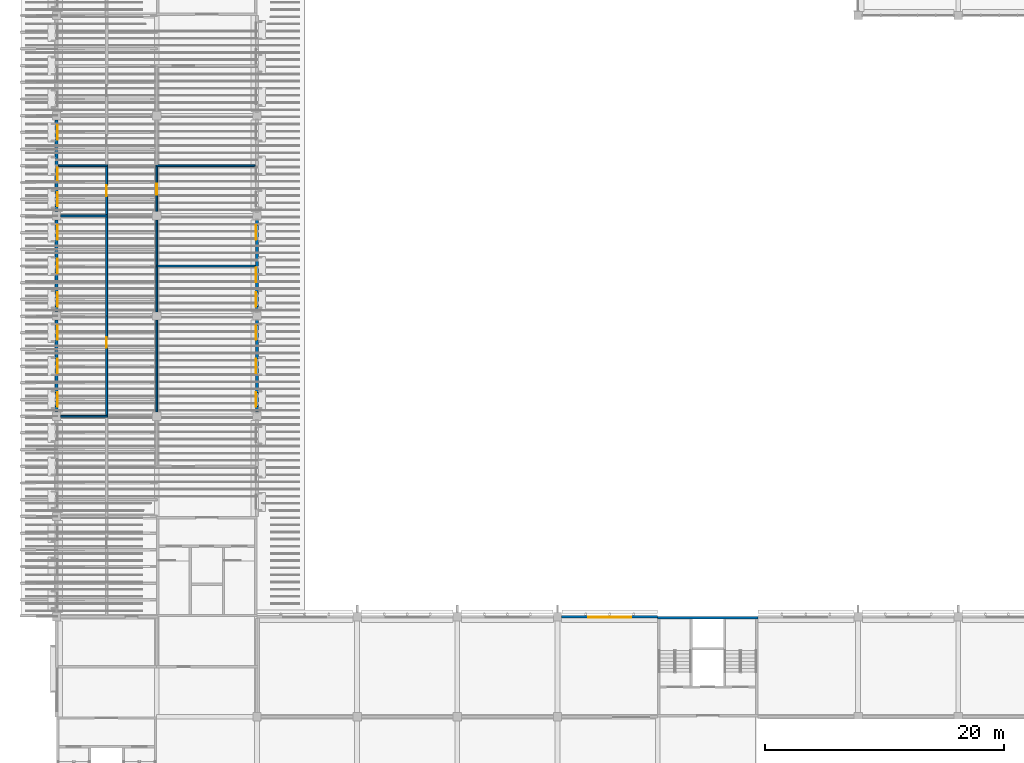
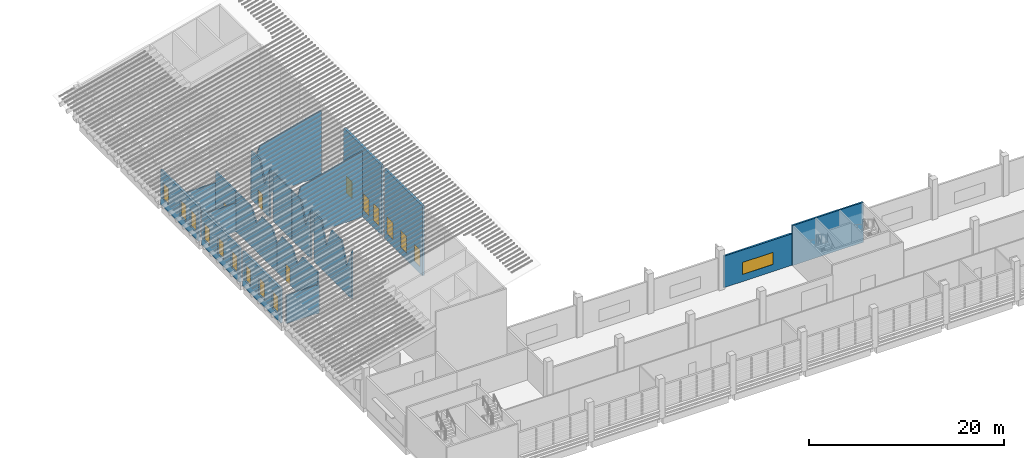
# One storey, part 19 of 82: 19 walls, 16 windows, 3 doors, 19 openings.
"""IFC4 building model written with IfcOpenShell, lengths in metres."""

from ifc_helpers import new_model, si_unit, direction, frame, frame_2d, origin, place, context, subcontext, project, spatial, polyline, rectangle, outline, extrude, material, layer, layer_set, type_object, element, fill, save


model = new_model("IFC4")

# Units and contexts
model_context = context("Model", 3, precision=1e-05, world=origin(), true_north=direction((0.0, 1.0)))
body_context = subcontext(model_context, "Body", "Model", "MODEL_VIEW")
ifc_project = project(units=[si_unit("LENGTHUNIT", "METRE"), si_unit("AREAUNIT", "SQUARE_METRE"), si_unit("VOLUMEUNIT", "CUBIC_METRE"), si_unit("PLANEANGLEUNIT", "RADIAN"), si_unit("MASSUNIT", "GRAM", prefix="KILO")], contexts=[model_context])

# Site, building, storey
site_placement = place(None, origin())
site = spatial("IfcSite", under=ifc_project, at=site_placement, CompositionType="ELEMENT")
building_placement = place(site_placement, origin())
building = spatial("IfcBuilding", under=site, at=building_placement, Name="Almond Square Museum", CompositionType="ELEMENT")
storey_placement = place(building_placement, frame((0.0, 0.0, 20.0)))
storey = spatial("IfcBuildingStorey", under=building, at=storey_placement, Name="L03", CompositionType="ELEMENT", Elevation=20.0)

# Walls
ifc_material_1 = material(Name="Plasterboard on steel stud", Category="steel")
ifc_layer_1 = layer(ifc_material_1, 0.14990234375)
ifc_layer_set_1 = layer_set([ifc_layer_1], Name="Plasterboard on steel stud")
wall_type_1 = type_object("IfcWallType", Name="Partition 150 plasterboard on steel stud", PredefinedType="PARTITIONING", material=ifc_layer_set_1)
wall_1_placement = place(storey_placement, frame((6.14990234375, 54.60009765625, 0.0), z_axis=(0.0, 0.0, 1.0), x_axis=(1.0, 0.0, 0.0)))
element("IfcWall", 1, at=wall_1_placement, inside=storey, type_object=wall_type_1, Name="L03 partition 24", PredefinedType="PARTITIONING", context=body_context, shape_type="SweptSolid", body=[
    extrude(rectangle(XDim=4.125, YDim=0.14990234375, at=frame_2d((2.0625, 0.0))), origin(), (0.0, 0.0, 1.0), 3.56201171875),
])
wall_2_placement = place(storey_placement, frame((14.324951171875, 54.60009765625, 0.0), z_axis=(0.0, 0.0, 1.0), x_axis=(1.0, 0.0, 0.0)))
element("IfcWall", 2, at=wall_2_placement, inside=storey, type_object=wall_type_1, Name="L03 partition 26", PredefinedType="PARTITIONING", context=body_context, shape_type="SweptSolid", body=[
    extrude(outline(polyline([(0.0, 0.0), (8.324951171875, 0.0), (8.324951171875, 8.220947265625), (7.35009765625, 8.0048828125), (1.050048828125, 6.35498046875), (0.0, 3.56201171875), (0.0, 0.0)])), frame((0.0, 0.074951171875, 0.0), z_axis=(0.0, -1.0, 0.0), x_axis=(1.0, 0.0, 0.0)), (0.0, 0.0, 1.0), 0.14990234375),
])

# Wall, opening, door
wall_3_placement = place(storey_placement, frame((10.199951171875, 50.47509765625, 0.0), z_axis=(0.0, 0.0, 1.0), x_axis=(0.0, 1.0, 0.0)))
wall_3 = element("IfcWall", 3, at=wall_3_placement, inside=storey, type_object=wall_type_1, Name="L03 partition 30", PredefinedType="PARTITIONING", context=body_context, shape_type="SweptSolid", body=[
    extrude(rectangle(XDim=4.0498046875, YDim=0.14990234375, at=frame_2d((2.02490234375, 0.0))), origin(), (0.0, 0.0, 1.0), 5.0),
])
opening_1_placement = place(wall_3_placement, frame((1.574951171875, 0.0, 0.0)))
opening_1 = element("IfcOpeningElement", 4, at=opening_1_placement, cuts=wall_3, Name="Opening D3109", PredefinedType="OPENING", context=body_context, shape_type="SweptSolid", body=[
    extrude(rectangle(XDim=0.89990234375, YDim=2.10009765625, at=frame_2d((0.449951171875, 1.050048828125))), frame((0.0, 0.0849609375, 0.0), z_axis=(0.0, -1.0, 0.0), x_axis=(1.0, 0.0, 0.0)), (0.0, 0.0, 1.0), 0.169921875),
])
ifc_material_2 = material(Name="Timber", Category="wood")
door_type = type_object("IfcDoorType", Name="Door 900 x 2100 timber single", OperationType="NOTDEFINED", PredefinedType="DOOR", material=ifc_material_2)
door_1_placement = place(opening_1_placement, origin())
door_1 = element("IfcDoor", 5, at=door_1_placement, inside=storey, type_object=door_type, Name="L03 door Women's WC 2 to Wing Corridor", OperationType="SINGLE_SWING_LEFT", OverallHeight=2.10009765625, OverallWidth=0.89990234375, PredefinedType="DOOR", context=body_context, shape_type="SweptSolid", body=[
    extrude(rectangle(XDim=0.89990234375, YDim=2.10009765625, at=frame_2d((0.449951171875, 1.050048828125))), frame((0.0, 0.02490234375, 0.0), z_axis=(0.0, -1.0, 0.0), x_axis=(1.0, 0.0, 0.0)), (0.0, 0.0, 1.0), 0.050048828125),
])
fill(opening_1, door_1)

# Walls
wall_4_placement = place(storey_placement, frame((6.35009765625, 50.39990234375, 0.0), z_axis=(0.0, 0.0, 1.0), x_axis=(1.0, 0.0, 0.0)))
element("IfcWall", 6, at=wall_4_placement, inside=storey, type_object=wall_type_1, Name="L03 partition 31", PredefinedType="PARTITIONING", context=body_context, shape_type="SweptSolid", body=[
    extrude(rectangle(XDim=3.9248046875, YDim=0.14990234375, at=frame_2d((1.96240234375, 0.0))), origin(), (0.0, 0.0, 1.0), 3.56201171875),
])
wall_5_placement = place(storey_placement, frame((14.39990234375, 46.27490234375, 0.0), z_axis=(0.0, 0.0, 1.0), x_axis=(0.0, 1.0, 0.0)))
element("IfcWall", 7, at=wall_5_placement, inside=storey, type_object=wall_type_1, Name="L03 partition 32", PredefinedType="PARTITIONING", context=body_context, shape_type="SweptSolid", body=[
    extrude(rectangle(XDim=3.775146484375, YDim=0.14990234375, at=frame_2d((1.8876953125, 0.0))), origin(), (0.0, 0.0, 1.0), 6.10009765625),
])

# Wall, opening, door
wall_6_placement = place(storey_placement, frame((14.39990234375, 50.75, 0.0), z_axis=(0.0, 0.0, 1.0), x_axis=(0.0, 1.0, 0.0)))
wall_6 = element("IfcWall", 8, at=wall_6_placement, inside=storey, type_object=wall_type_1, Name="L03 partition 33", PredefinedType="PARTITIONING", context=body_context, shape_type="SweptSolid", body=[
    extrude(outline(polyline([(0.0, 0.0), (3.77490234375, 0.0), (3.77490234375, 6.10009765625), (2.10009765625, 6.10009765625), (1.050048828125, 3.56201171875), (0.0, 6.10009765625), (0.0, 0.0)])), frame((0.0, 0.074951171875, 0.0), z_axis=(0.0, -1.0, 0.0), x_axis=(1.0, 0.0, 0.0)), (0.0, 0.0, 1.0), 0.14990234375),
])
opening_2_placement = place(wall_6_placement, frame((1.4375, 0.0, 0.0)))
opening_2 = element("IfcOpeningElement", 9, at=opening_2_placement, cuts=wall_6, Name="Opening D3110", PredefinedType="OPENING", context=body_context, shape_type="SweptSolid", body=[
    extrude(rectangle(XDim=0.89990234375, YDim=2.10009765625, at=frame_2d((0.449951171875, 1.050048828125))), frame((0.0, 0.0849609375, 0.0), z_axis=(0.0, -1.0, 0.0), x_axis=(1.0, 0.0, 0.0)), (0.0, 0.0, 1.0), 0.169921875),
])
door_2_placement = place(opening_2_placement, origin())
door_2 = element("IfcDoor", 10, at=door_2_placement, inside=storey, type_object=door_type, Name="L03 door Staff Meeting Room to Wing Corridor", OperationType="SINGLE_SWING_RIGHT", OverallHeight=2.10009765625, OverallWidth=0.89990234375, PredefinedType="DOOR", context=body_context, shape_type="SweptSolid", body=[
    extrude(rectangle(XDim=0.89990234375, YDim=2.10009765625, at=frame_2d((0.449951171875, 1.050048828125))), frame((0.0, 0.02490234375, 0.0), z_axis=(0.0, -1.0, 0.0), x_axis=(1.0, 0.0, 0.0)), (0.0, 0.0, 1.0), 0.050048828125),
])
fill(opening_2, door_2)

# Wall
wall_7_placement = place(storey_placement, frame((14.324951171875, 46.199951171875, 0.0), z_axis=(0.0, 0.0, 1.0), x_axis=(1.0, 0.0, 0.0)))
element("IfcWall", 11, at=wall_7_placement, inside=storey, type_object=wall_type_1, Name="L03 partition 34", PredefinedType="PARTITIONING", context=body_context, shape_type="SweptSolid", body=[
    extrude(outline(polyline([(0.0, 0.0), (8.324951171875, 0.0), (8.324951171875, 8.220947265625), (7.35009765625, 8.0048828125), (1.050048828125, 6.35498046875), (0.0, 3.56201171875), (0.0, 0.0)])), frame((0.0, 0.074951171875, 0.0), z_axis=(0.0, -1.0, 0.0), x_axis=(1.0, 0.0, 0.0)), (0.0, 0.0, 1.0), 0.14990234375),
])

# Wall, opening, door
wall_8_placement = place(storey_placement, frame((10.199951171875, 33.675048828125, 0.0), z_axis=(0.0, 0.0, 1.0), x_axis=(0.0, 1.0, 0.0)))
wall_8 = element("IfcWall", 12, at=wall_8_placement, inside=storey, type_object=wall_type_1, Name="L03 partition 35", PredefinedType="PARTITIONING", context=body_context, shape_type="SweptSolid", body=[
    extrude(outline(polyline([(0.0, 0.0), (8.324951171875, 0.0), (8.324951171875, 3.56201171875), (7.35009765625, 5.0), (5.25, 5.0), (4.199951171875, 3.56201171875), (3.14990234375, 5.0), (0.0, 5.0), (0.0, 0.0)])), frame((0.0, 0.074951171875, 0.0), z_axis=(0.0, -1.0, 0.0), x_axis=(1.0, 0.0, 0.0)), (0.0, 0.0, 1.0), 0.14990234375),
])
opening_3_placement = place(wall_8_placement, frame((5.64990234375, 0.0, 0.0)))
opening_3 = element("IfcOpeningElement", 13, at=opening_3_placement, cuts=wall_8, Name="Opening D3111", PredefinedType="OPENING", context=body_context, shape_type="SweptSolid", body=[
    extrude(rectangle(XDim=0.89990234375, YDim=2.10009765625, at=frame_2d((0.449951171875, 1.050048828125))), frame((0.0, 0.0849609375, 0.0), z_axis=(0.0, -1.0, 0.0), x_axis=(1.0, 0.0, 0.0)), (0.0, 0.0, 1.0), 0.169921875),
])
door_3_placement = place(opening_3_placement, origin())
door_3 = element("IfcDoor", 14, at=door_3_placement, inside=storey, type_object=door_type, Name="L03 door Registrar Office 1 to Wing Corridor", OperationType="SINGLE_SWING_LEFT", OverallHeight=2.10009765625, OverallWidth=0.89990234375, PredefinedType="DOOR", context=body_context, shape_type="SweptSolid", body=[
    extrude(rectangle(XDim=0.89990234375, YDim=2.10009765625, at=frame_2d((0.449951171875, 1.050048828125))), frame((0.0, 0.02490234375, 0.0), z_axis=(0.0, -1.0, 0.0), x_axis=(1.0, 0.0, 0.0)), (0.0, 0.0, 1.0), 0.050048828125),
])
fill(opening_3, door_3)

# Walls
wall_9_placement = place(storey_placement, frame((10.199951171875, 42.0, 0.0), z_axis=(0.0, 0.0, 1.0), x_axis=(0.0, 1.0, 0.0)))
element("IfcWall", 15, at=wall_9_placement, inside=storey, type_object=wall_type_1, Name="L03 partition 36", PredefinedType="PARTITIONING", context=body_context, shape_type="SweptSolid", body=[
    extrude(outline(polyline([(0.0, 0.0), (8.324951171875, 0.0), (8.324951171875, 5.0), (5.25, 5.0), (4.199951171875, 3.56201171875), (3.14990234375, 5.0), (1.050048828125, 5.0), (0.0, 3.56201171875), (0.0, 0.0)])), frame((0.0, 0.074951171875, 0.0), z_axis=(0.0, -1.0, 0.0), x_axis=(1.0, 0.0, 0.0)), (0.0, 0.0, 1.0), 0.14990234375),
])
wall_10_placement = place(storey_placement, frame((14.39990234375, 33.949951171875, 0.0), z_axis=(0.0, 0.0, 1.0), x_axis=(0.0, 1.0, 0.0)))
element("IfcWall", 16, at=wall_10_placement, inside=storey, type_object=wall_type_1, Name="L03 partition 38", PredefinedType="PARTITIONING", context=body_context, shape_type="SweptSolid", body=[
    extrude(outline(polyline([(0.0, 0.0), (7.699951171875, 0.0), (7.699951171875, 6.10009765625), (6.300048828125, 6.10009765625), (5.25, 3.56201171875), (4.199951171875, 6.10009765625), (2.10009765625, 6.10009765625), (1.050048828125, 3.56201171875), (0.0, 6.10009765625), (0.0, 0.0)])), frame((0.0, 0.074951171875, 0.0), z_axis=(0.0, -1.0, 0.0), x_axis=(1.0, 0.0, 0.0)), (0.0, 0.0, 1.0), 0.14990234375),
])
wall_11_placement = place(storey_placement, frame((14.39990234375, 42.35009765625, 0.0), z_axis=(0.0, 0.0, 1.0), x_axis=(0.0, 1.0, 0.0)))
element("IfcWall", 17, at=wall_11_placement, inside=storey, type_object=wall_type_1, Name="L03 partition 39", PredefinedType="PARTITIONING", context=body_context, shape_type="SweptSolid", body=[
    extrude(outline(polyline([(0.0, 0.0), (3.77490234375, 0.0), (3.77490234375, 6.10009765625), (2.10009765625, 6.10009765625), (1.050048828125, 3.56201171875), (0.0, 6.10009765625), (0.0, 0.0)])), frame((0.0, 0.074951171875, 0.0), z_axis=(0.0, -1.0, 0.0), x_axis=(1.0, 0.0, 0.0)), (0.0, 0.0, 1.0), 0.14990234375),
])
wall_12_placement = place(storey_placement, frame((6.35009765625, 33.60009765625, 0.0), z_axis=(0.0, 0.0, 1.0), x_axis=(1.0, 0.0, 0.0)))
element("IfcWall", 18, at=wall_12_placement, inside=storey, type_object=wall_type_1, Name="L03 partition 43", PredefinedType="PARTITIONING", context=body_context, shape_type="SweptSolid", body=[
    extrude(rectangle(XDim=3.9248046875, YDim=0.14990234375, at=frame_2d((1.96240234375, 0.0))), origin(), (0.0, 0.0, 1.0), 3.56201171875),
])

# Wall, openings, windows
ifc_material_3 = material(Name="Precast concrete C40/50", Category="concrete")
ifc_layer_2 = layer(ifc_material_3, 0.25)
ifc_layer_set_2 = layer_set([ifc_layer_2], Name="Precast concrete C40/50")
wall_type_2 = type_object("IfcWallType", Name="Precast concrete panel wall 250 with coral limestone piers", PredefinedType="SOLIDWALL", material=ifc_layer_set_2)
wall_13_placement = place(storey_placement, frame((22.800048828125, 33.949951171875, 0.0), z_axis=(0.0, 0.0, 1.0), x_axis=(0.0, 1.0, 0.0)))
wall_13 = element("IfcWall", 19, at=wall_13_placement, inside=storey, type_object=wall_type_2, Name="External wall W2 V4W L03 E02", PredefinedType="SOLIDWALL", context=body_context, shape_type="SweptSolid", body=[
    extrude(rectangle(XDim=7.699951171875, YDim=0.25, at=frame_2d((3.85009765625, 0.0))), origin(), (0.0, 0.0, 1.0), 8.74560546875),
])
opening_4_placement = place(wall_13_placement, frame((0.449951171875, 0.0, 0.89990234375)))
opening_4 = element("IfcOpeningElement", 20, at=opening_4_placement, cuts=wall_13, Name="Opening W3020", PredefinedType="OPENING", context=body_context, shape_type="SweptSolid", body=[
    extrude(rectangle(XDim=1.199951171875, YDim=2.10009765625, at=frame_2d((0.60009765625, 1.050048828125))), frame((0.0, 0.135009765625, 0.0), z_axis=(0.0, -1.0, 0.0), x_axis=(1.0, 0.0, 0.0)), (0.0, 0.0, 1.0), 0.27001953125),
])
opening_5_placement = place(wall_13_placement, frame((3.25, 0.0, 0.89990234375)))
opening_5 = element("IfcOpeningElement", 21, at=opening_5_placement, cuts=wall_13, Name="Opening W3021", PredefinedType="OPENING", context=body_context, shape_type="SweptSolid", body=[
    extrude(rectangle(XDim=1.199951171875, YDim=2.10009765625, at=frame_2d((0.60009765625, 1.050048828125))), frame((0.0, 0.135009765625, 0.0), z_axis=(0.0, -1.0, 0.0), x_axis=(1.0, 0.0, 0.0)), (0.0, 0.0, 1.0), 0.27001953125),
])
opening_6_placement = place(wall_13_placement, frame((6.050048828125, 0.0, 0.89990234375)))
opening_6 = element("IfcOpeningElement", 22, at=opening_6_placement, cuts=wall_13, Name="Opening W3022", PredefinedType="OPENING", context=body_context, shape_type="SweptSolid", body=[
    extrude(rectangle(XDim=1.199951171875, YDim=2.10009765625, at=frame_2d((0.60009765625, 1.050048828125))), frame((0.0, 0.135009765625, 0.0), z_axis=(0.0, -1.0, 0.0), x_axis=(1.0, 0.0, 0.0)), (0.0, 0.0, 1.0), 0.27001953125),
])
ifc_material_4 = material(Name="Anodised aluminium louvre and laminated glass", Category="aluminium")
window_type_1 = type_object("IfcWindowType", Name="Louvred pier window", PartitioningType="SINGLE_PANEL", PredefinedType="WINDOW", material=ifc_material_4)
window_1_placement = place(opening_4_placement, origin())
window_1 = element("IfcWindow", 23, at=window_1_placement, inside=storey, type_object=window_type_1, Name="Louvred pier window W3020", OverallHeight=2.10009765625, OverallWidth=1.199951171875, PartitioningType="SINGLE_PANEL", PredefinedType="WINDOW", context=body_context, shape_type="SweptSolid", body=[
    extrude(rectangle(XDim=1.199951171875, YDim=2.10009765625, at=frame_2d((0.60009765625, 1.050048828125))), frame((0.0, 0.10498046875, 0.0), z_axis=(0.0, -1.0, 0.0), x_axis=(1.0, 0.0, 0.0)), (0.0, 0.0, 1.0), 0.06005859375),
])
fill(opening_4, window_1)
window_2_placement = place(opening_5_placement, origin())
window_2 = element("IfcWindow", 24, at=window_2_placement, inside=storey, type_object=window_type_1, Name="Louvred pier window W3021", OverallHeight=2.10009765625, OverallWidth=1.199951171875, PartitioningType="SINGLE_PANEL", PredefinedType="WINDOW", context=body_context, shape_type="SweptSolid", body=[
    extrude(rectangle(XDim=1.199951171875, YDim=2.10009765625, at=frame_2d((0.60009765625, 1.050048828125))), frame((0.0, 0.10498046875, 0.0), z_axis=(0.0, -1.0, 0.0), x_axis=(1.0, 0.0, 0.0)), (0.0, 0.0, 1.0), 0.06005859375),
])
fill(opening_5, window_2)
window_3_placement = place(opening_6_placement, origin())
window_3 = element("IfcWindow", 25, at=window_3_placement, inside=storey, type_object=window_type_1, Name="Louvred pier window W3022", OverallHeight=2.10009765625, OverallWidth=1.199951171875, PartitioningType="SINGLE_PANEL", PredefinedType="WINDOW", context=body_context, shape_type="SweptSolid", body=[
    extrude(rectangle(XDim=1.199951171875, YDim=2.10009765625, at=frame_2d((0.60009765625, 1.050048828125))), frame((0.0, 0.10498046875, 0.0), z_axis=(0.0, -1.0, 0.0), x_axis=(1.0, 0.0, 0.0)), (0.0, 0.0, 1.0), 0.06005859375),
])
fill(opening_6, window_3)

wall_14_placement = place(storey_placement, frame((22.800048828125, 42.35009765625, 0.0), z_axis=(0.0, 0.0, 1.0), x_axis=(0.0, 1.0, 0.0)))
wall_14 = element("IfcWall", 26, at=wall_14_placement, inside=storey, type_object=wall_type_2, Name="External wall W2 V4W L03 E03", PredefinedType="SOLIDWALL", context=body_context, shape_type="SweptSolid", body=[
    extrude(rectangle(XDim=7.699951171875, YDim=0.25, at=frame_2d((3.85009765625, 0.0))), origin(), (0.0, 0.0, 1.0), 8.74560546875),
])
opening_7_placement = place(wall_14_placement, frame((0.449951171875, 0.0, 0.89990234375)))
opening_7 = element("IfcOpeningElement", 27, at=opening_7_placement, cuts=wall_14, Name="Opening W3023", PredefinedType="OPENING", context=body_context, shape_type="SweptSolid", body=[
    extrude(rectangle(XDim=1.199951171875, YDim=2.10009765625, at=frame_2d((0.60009765625, 1.050048828125))), frame((0.0, 0.135009765625, 0.0), z_axis=(0.0, -1.0, 0.0), x_axis=(1.0, 0.0, 0.0)), (0.0, 0.0, 1.0), 0.27001953125),
])
opening_8_placement = place(wall_14_placement, frame((2.5, 0.0, 0.89990234375)))
opening_8 = element("IfcOpeningElement", 28, at=opening_8_placement, cuts=wall_14, Name="Opening W3024", PredefinedType="OPENING", context=body_context, shape_type="SweptSolid", body=[
    extrude(rectangle(XDim=1.199951171875, YDim=2.10009765625, at=frame_2d((0.60009765625, 1.050048828125))), frame((0.0, 0.135009765625, 0.0), z_axis=(0.0, -1.0, 0.0), x_axis=(1.0, 0.0, 0.0)), (0.0, 0.0, 1.0), 0.27001953125),
])
opening_9_placement = place(wall_14_placement, frame((6.050048828125, 0.0, 0.89990234375)))
opening_9 = element("IfcOpeningElement", 29, at=opening_9_placement, cuts=wall_14, Name="Opening W3025", PredefinedType="OPENING", context=body_context, shape_type="SweptSolid", body=[
    extrude(rectangle(XDim=1.199951171875, YDim=2.10009765625, at=frame_2d((0.60009765625, 1.050048828125))), frame((0.0, 0.135009765625, 0.0), z_axis=(0.0, -1.0, 0.0), x_axis=(1.0, 0.0, 0.0)), (0.0, 0.0, 1.0), 0.27001953125),
])
window_4_placement = place(opening_7_placement, origin())
window_4 = element("IfcWindow", 30, at=window_4_placement, inside=storey, type_object=window_type_1, Name="Louvred pier window W3023", OverallHeight=2.10009765625, OverallWidth=1.199951171875, PartitioningType="SINGLE_PANEL", PredefinedType="WINDOW", context=body_context, shape_type="SweptSolid", body=[
    extrude(rectangle(XDim=1.199951171875, YDim=2.10009765625, at=frame_2d((0.60009765625, 1.050048828125))), frame((0.0, 0.10498046875, 0.0), z_axis=(0.0, -1.0, 0.0), x_axis=(1.0, 0.0, 0.0)), (0.0, 0.0, 1.0), 0.06005859375),
])
fill(opening_7, window_4)
window_5_placement = place(opening_8_placement, origin())
window_5 = element("IfcWindow", 31, at=window_5_placement, inside=storey, type_object=window_type_1, Name="Louvred pier window W3024", OverallHeight=2.10009765625, OverallWidth=1.199951171875, PartitioningType="SINGLE_PANEL", PredefinedType="WINDOW", context=body_context, shape_type="SweptSolid", body=[
    extrude(rectangle(XDim=1.199951171875, YDim=2.10009765625, at=frame_2d((0.60009765625, 1.050048828125))), frame((0.0, 0.10498046875, 0.0), z_axis=(0.0, -1.0, 0.0), x_axis=(1.0, 0.0, 0.0)), (0.0, 0.0, 1.0), 0.06005859375),
])
fill(opening_8, window_5)
window_6_placement = place(opening_9_placement, origin())
window_6 = element("IfcWindow", 32, at=window_6_placement, inside=storey, type_object=window_type_1, Name="Louvred pier window W3025", OverallHeight=2.10009765625, OverallWidth=1.199951171875, PartitioningType="SINGLE_PANEL", PredefinedType="WINDOW", context=body_context, shape_type="SweptSolid", body=[
    extrude(rectangle(XDim=1.199951171875, YDim=2.10009765625, at=frame_2d((0.60009765625, 1.050048828125))), frame((0.0, 0.10498046875, 0.0), z_axis=(0.0, -1.0, 0.0), x_axis=(1.0, 0.0, 0.0)), (0.0, 0.0, 1.0), 0.06005859375),
])
fill(opening_9, window_6)

wall_15_placement = place(storey_placement, frame((6.0, 50.75, 0.0), z_axis=(0.0, 0.0, 1.0), x_axis=(0.0, 1.0, 0.0)))
wall_15 = element("IfcWall", 33, at=wall_15_placement, inside=storey, type_object=wall_type_2, Name="External wall W2 V4W L03 W03", PredefinedType="SOLIDWALL", context=body_context, shape_type="SweptSolid", body=[
    extrude(rectangle(XDim=7.699951171875, YDim=0.25, at=frame_2d((3.85009765625, 0.0))), origin(), (0.0, 0.0, 1.0), 4.345703125),
])
opening_10_placement = place(wall_15_placement, frame((0.449951171875, 0.0, 0.89990234375)))
opening_10 = element("IfcOpeningElement", 34, at=opening_10_placement, cuts=wall_15, Name="Opening W3041", PredefinedType="OPENING", context=body_context, shape_type="SweptSolid", body=[
    extrude(rectangle(XDim=1.199951171875, YDim=2.10009765625, at=frame_2d((0.60009765625, 1.050048828125))), frame((0.0, 0.135009765625, 0.0), z_axis=(0.0, -1.0, 0.0), x_axis=(1.0, 0.0, 0.0)), (0.0, 0.0, 1.0), 0.27001953125),
])
opening_11_placement = place(wall_15_placement, frame((2.5, 0.0, 0.89990234375)))
opening_11 = element("IfcOpeningElement", 35, at=opening_11_placement, cuts=wall_15, Name="Opening W3042", PredefinedType="OPENING", context=body_context, shape_type="SweptSolid", body=[
    extrude(rectangle(XDim=1.199951171875, YDim=2.10009765625, at=frame_2d((0.60009765625, 1.050048828125))), frame((0.0, 0.135009765625, 0.0), z_axis=(0.0, -1.0, 0.0), x_axis=(1.0, 0.0, 0.0)), (0.0, 0.0, 1.0), 0.27001953125),
])
opening_12_placement = place(wall_15_placement, frame((6.050048828125, 0.0, 0.89990234375)))
opening_12 = element("IfcOpeningElement", 36, at=opening_12_placement, cuts=wall_15, Name="Opening W3043", PredefinedType="OPENING", context=body_context, shape_type="SweptSolid", body=[
    extrude(rectangle(XDim=1.199951171875, YDim=2.10009765625, at=frame_2d((0.60009765625, 1.050048828125))), frame((0.0, 0.135009765625, 0.0), z_axis=(0.0, -1.0, 0.0), x_axis=(1.0, 0.0, 0.0)), (0.0, 0.0, 1.0), 0.27001953125),
])
window_7_placement = place(opening_10_placement, origin())
window_7 = element("IfcWindow", 37, at=window_7_placement, inside=storey, type_object=window_type_1, Name="Louvred pier window W3041", OverallHeight=2.10009765625, OverallWidth=1.199951171875, PartitioningType="SINGLE_PANEL", PredefinedType="WINDOW", context=body_context, shape_type="SweptSolid", body=[
    extrude(rectangle(XDim=1.199951171875, YDim=2.10009765625, at=frame_2d((0.60009765625, 1.050048828125))), frame((0.0, -0.044921875, 0.0), z_axis=(0.0, -1.0, 0.0), x_axis=(1.0, 0.0, 0.0)), (0.0, 0.0, 1.0), 0.06005859375),
])
fill(opening_10, window_7)
window_8_placement = place(opening_11_placement, origin())
window_8 = element("IfcWindow", 38, at=window_8_placement, inside=storey, type_object=window_type_1, Name="Louvred pier window W3042", OverallHeight=2.10009765625, OverallWidth=1.199951171875, PartitioningType="SINGLE_PANEL", PredefinedType="WINDOW", context=body_context, shape_type="SweptSolid", body=[
    extrude(rectangle(XDim=1.199951171875, YDim=2.10009765625, at=frame_2d((0.60009765625, 1.050048828125))), frame((0.0, -0.044921875, 0.0), z_axis=(0.0, -1.0, 0.0), x_axis=(1.0, 0.0, 0.0)), (0.0, 0.0, 1.0), 0.06005859375),
])
fill(opening_11, window_8)
window_9_placement = place(opening_12_placement, origin())
window_9 = element("IfcWindow", 39, at=window_9_placement, inside=storey, type_object=window_type_1, Name="Louvred pier window W3043", OverallHeight=2.10009765625, OverallWidth=1.199951171875, PartitioningType="SINGLE_PANEL", PredefinedType="WINDOW", context=body_context, shape_type="SweptSolid", body=[
    extrude(rectangle(XDim=1.199951171875, YDim=2.10009765625, at=frame_2d((0.60009765625, 1.050048828125))), frame((0.0, -0.044921875, 0.0), z_axis=(0.0, -1.0, 0.0), x_axis=(1.0, 0.0, 0.0)), (0.0, 0.0, 1.0), 0.06005859375),
])
fill(opening_12, window_9)

wall_16_placement = place(storey_placement, frame((6.0, 42.35009765625, 0.0), z_axis=(0.0, 0.0, 1.0), x_axis=(0.0, 1.0, 0.0)))
wall_16 = element("IfcWall", 40, at=wall_16_placement, inside=storey, type_object=wall_type_2, Name="External wall W2 V4W L03 W04", PredefinedType="SOLIDWALL", context=body_context, shape_type="SweptSolid", body=[
    extrude(rectangle(XDim=7.699951171875, YDim=0.25, at=frame_2d((3.85009765625, 0.0))), origin(), (0.0, 0.0, 1.0), 4.345703125),
])
opening_13_placement = place(wall_16_placement, frame((0.449951171875, 0.0, 0.89990234375)))
opening_13 = element("IfcOpeningElement", 41, at=opening_13_placement, cuts=wall_16, Name="Opening W3044", PredefinedType="OPENING", context=body_context, shape_type="SweptSolid", body=[
    extrude(rectangle(XDim=1.199951171875, YDim=2.10009765625, at=frame_2d((0.60009765625, 1.050048828125))), frame((0.0, 0.135009765625, 0.0), z_axis=(0.0, -1.0, 0.0), x_axis=(1.0, 0.0, 0.0)), (0.0, 0.0, 1.0), 0.27001953125),
])
opening_14_placement = place(wall_16_placement, frame((3.25, 0.0, 0.89990234375)))
opening_14 = element("IfcOpeningElement", 42, at=opening_14_placement, cuts=wall_16, Name="Opening W3045", PredefinedType="OPENING", context=body_context, shape_type="SweptSolid", body=[
    extrude(rectangle(XDim=1.199951171875, YDim=2.10009765625, at=frame_2d((0.60009765625, 1.050048828125))), frame((0.0, 0.135009765625, 0.0), z_axis=(0.0, -1.0, 0.0), x_axis=(1.0, 0.0, 0.0)), (0.0, 0.0, 1.0), 0.27001953125),
])
opening_15_placement = place(wall_16_placement, frame((6.050048828125, 0.0, 0.89990234375)))
opening_15 = element("IfcOpeningElement", 43, at=opening_15_placement, cuts=wall_16, Name="Opening W3046", PredefinedType="OPENING", context=body_context, shape_type="SweptSolid", body=[
    extrude(rectangle(XDim=1.199951171875, YDim=2.10009765625, at=frame_2d((0.60009765625, 1.050048828125))), frame((0.0, 0.135009765625, 0.0), z_axis=(0.0, -1.0, 0.0), x_axis=(1.0, 0.0, 0.0)), (0.0, 0.0, 1.0), 0.27001953125),
])
window_10_placement = place(opening_13_placement, origin())
window_10 = element("IfcWindow", 44, at=window_10_placement, inside=storey, type_object=window_type_1, Name="Louvred pier window W3044", OverallHeight=2.10009765625, OverallWidth=1.199951171875, PartitioningType="SINGLE_PANEL", PredefinedType="WINDOW", context=body_context, shape_type="SweptSolid", body=[
    extrude(rectangle(XDim=1.199951171875, YDim=2.10009765625, at=frame_2d((0.60009765625, 1.050048828125))), frame((0.0, -0.044921875, 0.0), z_axis=(0.0, -1.0, 0.0), x_axis=(1.0, 0.0, 0.0)), (0.0, 0.0, 1.0), 0.06005859375),
])
fill(opening_13, window_10)
window_11_placement = place(opening_14_placement, origin())
window_11 = element("IfcWindow", 45, at=window_11_placement, inside=storey, type_object=window_type_1, Name="Louvred pier window W3045", OverallHeight=2.10009765625, OverallWidth=1.199951171875, PartitioningType="SINGLE_PANEL", PredefinedType="WINDOW", context=body_context, shape_type="SweptSolid", body=[
    extrude(rectangle(XDim=1.199951171875, YDim=2.10009765625, at=frame_2d((0.60009765625, 1.050048828125))), frame((0.0, -0.044921875, 0.0), z_axis=(0.0, -1.0, 0.0), x_axis=(1.0, 0.0, 0.0)), (0.0, 0.0, 1.0), 0.06005859375),
])
fill(opening_14, window_11)
window_12_placement = place(opening_15_placement, origin())
window_12 = element("IfcWindow", 46, at=window_12_placement, inside=storey, type_object=window_type_1, Name="Louvred pier window W3046", OverallHeight=2.10009765625, OverallWidth=1.199951171875, PartitioningType="SINGLE_PANEL", PredefinedType="WINDOW", context=body_context, shape_type="SweptSolid", body=[
    extrude(rectangle(XDim=1.199951171875, YDim=2.10009765625, at=frame_2d((0.60009765625, 1.050048828125))), frame((0.0, -0.044921875, 0.0), z_axis=(0.0, -1.0, 0.0), x_axis=(1.0, 0.0, 0.0)), (0.0, 0.0, 1.0), 0.06005859375),
])
fill(opening_15, window_12)

wall_17_placement = place(storey_placement, frame((6.0, 33.949951171875, 0.0), z_axis=(0.0, 0.0, 1.0), x_axis=(0.0, 1.0, 0.0)))
wall_17 = element("IfcWall", 47, at=wall_17_placement, inside=storey, type_object=wall_type_2, Name="External wall W2 V4W L03 W05", PredefinedType="SOLIDWALL", context=body_context, shape_type="SweptSolid", body=[
    extrude(rectangle(XDim=7.699951171875, YDim=0.25, at=frame_2d((3.85009765625, 0.0))), origin(), (0.0, 0.0, 1.0), 4.345703125),
])
opening_16_placement = place(wall_17_placement, frame((0.449951171875, 0.0, 0.89990234375)))
opening_16 = element("IfcOpeningElement", 48, at=opening_16_placement, cuts=wall_17, Name="Opening W3047", PredefinedType="OPENING", context=body_context, shape_type="SweptSolid", body=[
    extrude(rectangle(XDim=1.199951171875, YDim=2.10009765625, at=frame_2d((0.60009765625, 1.050048828125))), frame((0.0, 0.135009765625, 0.0), z_axis=(0.0, -1.0, 0.0), x_axis=(1.0, 0.0, 0.0)), (0.0, 0.0, 1.0), 0.27001953125),
])
opening_17_placement = place(wall_17_placement, frame((3.25, 0.0, 0.89990234375)))
opening_17 = element("IfcOpeningElement", 49, at=opening_17_placement, cuts=wall_17, Name="Opening W3048", PredefinedType="OPENING", context=body_context, shape_type="SweptSolid", body=[
    extrude(rectangle(XDim=1.199951171875, YDim=2.10009765625, at=frame_2d((0.60009765625, 1.050048828125))), frame((0.0, 0.135009765625, 0.0), z_axis=(0.0, -1.0, 0.0), x_axis=(1.0, 0.0, 0.0)), (0.0, 0.0, 1.0), 0.27001953125),
])
opening_18_placement = place(wall_17_placement, frame((6.050048828125, 0.0, 0.89990234375)))
opening_18 = element("IfcOpeningElement", 50, at=opening_18_placement, cuts=wall_17, Name="Opening W3049", PredefinedType="OPENING", context=body_context, shape_type="SweptSolid", body=[
    extrude(rectangle(XDim=1.199951171875, YDim=2.10009765625, at=frame_2d((0.60009765625, 1.050048828125))), frame((0.0, 0.135009765625, 0.0), z_axis=(0.0, -1.0, 0.0), x_axis=(1.0, 0.0, 0.0)), (0.0, 0.0, 1.0), 0.27001953125),
])
window_13_placement = place(opening_16_placement, origin())
window_13 = element("IfcWindow", 51, at=window_13_placement, inside=storey, type_object=window_type_1, Name="Louvred pier window W3047", OverallHeight=2.10009765625, OverallWidth=1.199951171875, PartitioningType="SINGLE_PANEL", PredefinedType="WINDOW", context=body_context, shape_type="SweptSolid", body=[
    extrude(rectangle(XDim=1.199951171875, YDim=2.10009765625, at=frame_2d((0.60009765625, 1.050048828125))), frame((0.0, -0.044921875, 0.0), z_axis=(0.0, -1.0, 0.0), x_axis=(1.0, 0.0, 0.0)), (0.0, 0.0, 1.0), 0.06005859375),
])
fill(opening_16, window_13)
window_14_placement = place(opening_17_placement, origin())
window_14 = element("IfcWindow", 52, at=window_14_placement, inside=storey, type_object=window_type_1, Name="Louvred pier window W3048", OverallHeight=2.10009765625, OverallWidth=1.199951171875, PartitioningType="SINGLE_PANEL", PredefinedType="WINDOW", context=body_context, shape_type="SweptSolid", body=[
    extrude(rectangle(XDim=1.199951171875, YDim=2.10009765625, at=frame_2d((0.60009765625, 1.050048828125))), frame((0.0, -0.044921875, 0.0), z_axis=(0.0, -1.0, 0.0), x_axis=(1.0, 0.0, 0.0)), (0.0, 0.0, 1.0), 0.06005859375),
])
fill(opening_17, window_14)
window_15_placement = place(opening_18_placement, origin())
window_15 = element("IfcWindow", 53, at=window_15_placement, inside=storey, type_object=window_type_1, Name="Louvred pier window W3049", OverallHeight=2.10009765625, OverallWidth=1.199951171875, PartitioningType="SINGLE_PANEL", PredefinedType="WINDOW", context=body_context, shape_type="SweptSolid", body=[
    extrude(rectangle(XDim=1.199951171875, YDim=2.10009765625, at=frame_2d((0.60009765625, 1.050048828125))), frame((0.0, -0.044921875, 0.0), z_axis=(0.0, -1.0, 0.0), x_axis=(1.0, 0.0, 0.0)), (0.0, 0.0, 1.0), 0.06005859375),
])
fill(opening_18, window_15)

# Wall
ifc_material_5 = material(Name="Concrete C40/50", Category="concrete")
ifc_layer_3 = layer(ifc_material_5, 0.199951171875)
ifc_layer_set_3 = layer_set([ifc_layer_3], Name="Concrete C40/50")
wall_type_3 = type_object("IfcWallType", Name="RC shear wall 200 C40/50", PredefinedType="SHEAR", material=ifc_layer_set_3)
wall_18_placement = place(storey_placement, frame((56.39990234375, 16.699951171875, 0.0), z_axis=(0.0, 0.0, 1.0), x_axis=(1.0, 0.0, 0.0)))
element("IfcWall", 54, at=wall_18_placement, inside=storey, type_object=wall_type_3, Name="Core S2 north wall L03", PredefinedType="SHEAR", context=body_context, shape_type="SweptSolid", body=[
    extrude(rectangle(XDim=8.400146484375, YDim=0.199951171875, at=frame_2d((4.2001953125, 0.0))), origin(), (0.0, 0.0, 1.0), 5.0),
])

# Wall, opening, window
ifc_material_6 = material(Name="Concrete C30/37", Category="concrete")
ifc_layer_4 = layer(ifc_material_6, 0.219970703125)
ifc_layer_set_4 = layer_set([ifc_layer_4], Name="Concrete C30/37")
wall_type_4 = type_object("IfcWallType", Name="Stucco panel wall 220 with insulation", PredefinedType="SOLIDWALL", material=ifc_layer_set_4)
wall_19_placement = place(storey_placement, frame((48.35009765625, 16.800048828125, 0.0), z_axis=(0.0, 0.0, 1.0), x_axis=(1.0, 0.0, 0.0)))
wall_19 = element("IfcWall", 55, at=wall_19_placement, inside=storey, type_object=wall_type_4, Name="External wall W4 V5S L03 N08", PredefinedType="SOLIDWALL", context=body_context, shape_type="SweptSolid", body=[
    extrude(rectangle(XDim=8.0498046875, YDim=0.219970703125, at=frame_2d((4.02490234375, 0.0))), origin(), (0.0, 0.0, 1.0), 3.93994140625),
])
opening_19_placement = place(wall_19_placement, frame((2.22509765625, 0.0, 0.89990234375)))
opening_19 = element("IfcOpeningElement", 56, at=opening_19_placement, cuts=wall_19, Name="Opening W3013", PredefinedType="OPENING", context=body_context, shape_type="SweptSolid", body=[
    extrude(rectangle(XDim=3.60009765625, YDim=1.5, at=frame_2d((1.800048828125, 0.75))), frame((0.0, 0.119873046875, 0.0), z_axis=(0.0, -1.0, 0.0), x_axis=(1.0, 0.0, 0.0)), (0.0, 0.0, 1.0), 0.239990234375),
])
ifc_material_7 = material(Name="Aluminium frame and laminated glass", Category="aluminium")
window_type_2 = type_object("IfcWindowType", Name="Office ribbon window", PartitioningType="SINGLE_PANEL", PredefinedType="WINDOW", material=ifc_material_7)
window_16_placement = place(opening_19_placement, origin())
window_16 = element("IfcWindow", 57, at=window_16_placement, inside=storey, type_object=window_type_2, Name="Office ribbon window W3013", OverallHeight=1.5, OverallWidth=3.60009765625, PartitioningType="DOUBLE_PANEL_VERTICAL", PredefinedType="WINDOW", context=body_context, shape_type="SweptSolid", body=[
    extrude(rectangle(XDim=3.60009765625, YDim=1.5, at=frame_2d((1.800048828125, 0.75))), frame((0.0, -0.030029296875, 0.0), z_axis=(0.0, -1.0, 0.0), x_axis=(1.0, 0.0, 0.0)), (0.0, 0.0, 1.0), 0.06005859375),
])
fill(opening_19, window_16)

save(model, "model.ifc")
